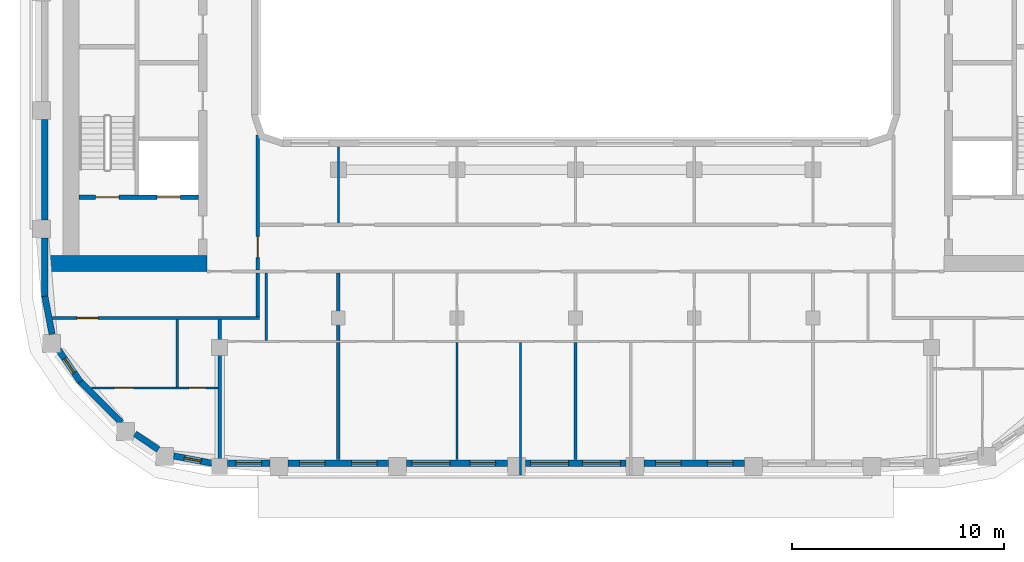
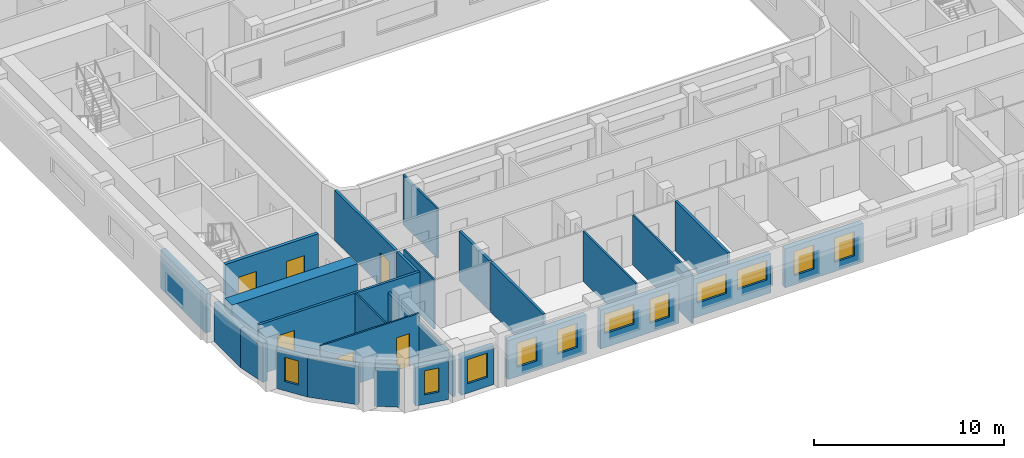
# One storey, part 2 of 21: 27 walls, 11 windows, 6 doors, 17 openings.
"""IFC4 building model written with IfcOpenShell, lengths in metres."""

from ifc_helpers import new_model, si_unit, direction, frame, frame_2d, origin, place, context, subcontext, project, spatial, rectangle, extrude, material, layer, layer_set, type_object, element, fill, save


model = new_model("IFC4")

# Units and contexts
model_context = context("Model", 3, precision=1e-05, world=origin(), true_north=direction((0.0, 1.0)))
body_context = subcontext(model_context, "Body", "Model", "MODEL_VIEW")
ifc_project = project(units=[si_unit("LENGTHUNIT", "METRE"), si_unit("AREAUNIT", "SQUARE_METRE"), si_unit("VOLUMEUNIT", "CUBIC_METRE"), si_unit("PLANEANGLEUNIT", "RADIAN"), si_unit("MASSUNIT", "GRAM", prefix="KILO")], contexts=[model_context])

# Site, building, storey
site_placement = place(None, origin())
site = spatial("IfcSite", under=ifc_project, at=site_placement, CompositionType="ELEMENT")
building_placement = place(site_placement, origin())
building = spatial("IfcBuilding", under=site, at=building_placement, Name="Kiln Ring Residences", CompositionType="ELEMENT")
storey_placement = place(building_placement, frame((0.0, 0.0, 220.39990234375)))
storey = spatial("IfcBuildingStorey", under=building, at=storey_placement, Name="L57", CompositionType="ELEMENT", Elevation=220.39990234375)

# Wall, openings, doors
ifc_material_1 = material(Name="Concrete C40/50", Category="concrete")
ifc_layer_1 = layer(ifc_material_1, 0.199951171875)
ifc_layer_set_1 = layer_set([ifc_layer_1], Name="CORE-WALL-RC200")
wall_type_1 = type_object("IfcWallType", Name="CORE-WALL-RC200", PredefinedType="SHEAR", material=ifc_layer_set_1)
wall_1_placement = place(storey_placement, frame((-17.800048828125, -9.699951171875, 0.0), z_axis=(0.0, 0.0, 1.0), x_axis=(-1.0, 0.0, 0.0)))
wall_1 = element("IfcWall", 1, at=wall_1_placement, inside=storey, type_object=wall_type_1, Name="Core wall west L57 8", PredefinedType="SHEAR", context=body_context, shape_type="SweptSolid", body=[
    extrude(rectangle(XDim=5.64990234375, YDim=0.199951171875, at=frame_2d((2.824951171875, 0.0))), origin(), (0.0, 0.0, 1.0), 3.2001953125),
])
opening_1_placement = place(wall_1_placement, frame((0.85009765625, 0.0, 0.0)))
opening_1 = element("IfcOpeningElement", 2, at=opening_1_placement, cuts=wall_1, Name="Opening L57-CW01", PredefinedType="OPENING", context=body_context, shape_type="SweptSolid", body=[
    extrude(rectangle(XDim=1.10009765625, YDim=2.10009765625, at=frame_2d((0.550048828125, 1.050048828125))), frame((0.0, 0.10986328125, 0.0), z_axis=(0.0, -1.0, 0.0), x_axis=(1.0, 0.0, 0.0)), (0.0, 0.0, 1.0), 0.219970703125),
])
opening_2_placement = place(wall_1_placement, frame((3.75, 0.0, 0.0)))
opening_2 = element("IfcOpeningElement", 3, at=opening_2_placement, cuts=wall_1, Name="Opening L57-CW10", PredefinedType="OPENING", context=body_context, shape_type="SweptSolid", body=[
    extrude(rectangle(XDim=1.10009765625, YDim=2.10009765625, at=frame_2d((0.550048828125, 1.050048828125))), frame((0.0, 0.10986328125, 0.0), z_axis=(0.0, -1.0, 0.0), x_axis=(1.0, 0.0, 0.0)), (0.0, 0.0, 1.0), 0.219970703125),
])
ifc_material_2 = material(Name="Steel door leaf", Category="steel")
door_type_1 = type_object("IfcDoorType", Name="CORE-DOOR-LD", OperationType="DOUBLE_DOOR_SLIDING", PredefinedType="DOOR", material=ifc_material_2)
door_1_placement = place(opening_1_placement, origin())
door_1 = element("IfcDoor", 4, at=door_1_placement, inside=storey, type_object=door_type_1, Name="LD W-SV L57-CW01", OperationType="DOUBLE_DOOR_SLIDING", OverallHeight=2.10009765625, OverallWidth=1.10009765625, PredefinedType="DOOR", context=body_context, shape_type="SweptSolid", body=[
    extrude(rectangle(XDim=1.10009765625, YDim=2.10009765625, at=frame_2d((0.550048828125, 1.050048828125))), frame((0.0, 0.02490234375, 0.0), z_axis=(0.0, -1.0, 0.0), x_axis=(1.0, 0.0, 0.0)), (0.0, 0.0, 1.0), 0.050048828125),
])
fill(opening_1, door_1)
ifc_material_3 = material(Name="Steel door leaf", Category="steel")
door_type_2 = type_object("IfcDoorType", Name="CORE-DOOR-STAIR", OperationType="SINGLE_SWING_LEFT", PredefinedType="DOOR", material=ifc_material_3)
door_2_placement = place(opening_2_placement, origin())
door_2 = element("IfcDoor", 5, at=door_2_placement, inside=storey, type_object=door_type_2, Name="Stair W-STS L57-CW10", OperationType="SINGLE_SWING_LEFT", OverallHeight=2.10009765625, OverallWidth=1.10009765625, PredefinedType="DOOR", context=body_context, shape_type="SweptSolid", body=[
    extrude(rectangle(XDim=1.10009765625, YDim=2.10009765625, at=frame_2d((0.550048828125, 1.050048828125))), frame((0.0, 0.02490234375, 0.0), z_axis=(0.0, -1.0, 0.0), x_axis=(1.0, 0.0, 0.0)), (0.0, 0.0, 1.0), 0.050048828125),
])
fill(opening_2, door_2)

# Walls
ifc_material_4 = material(Name="Concrete C60/75", Category="concrete")
ifc_layer_2 = layer(ifc_material_4, 0.75)
ifc_layer_set_2 = layer_set([ifc_layer_2], Name="CORE-WALL-RC750")
wall_type_2 = type_object("IfcWallType", Name="CORE-WALL-RC750", PredefinedType="SHEAR", material=ifc_layer_set_2)
wall_2_placement = place(storey_placement, frame((-17.39990234375, -12.824951171875, 0.0), z_axis=(0.0, 0.0, 1.0), x_axis=(-1.0, 0.0, 0.0)))
element("IfcWall", 6, at=wall_2_placement, inside=storey, type_object=wall_type_2, Name="Core wall west L57 5", PredefinedType="SHEAR", context=body_context, shape_type="SweptSolid", body=[
    extrude(rectangle(XDim=7.60009765625, YDim=0.75, at=frame_2d((3.800048828125, 0.0))), origin(), (0.0, 0.0, 1.0), 3.2001953125),
])
ifc_material_5 = material(Name="Brick masonry, dark clay brick", Category="masonry")
ifc_layer_3 = layer(ifc_material_5, 0.300048828125)
ifc_layer_set_3 = layer_set([ifc_layer_3], Name="EW-300 BRICK WALL")
wall_type_3 = type_object("IfcWallType", Name="EW-300 BRICK WALL", PredefinedType="SOLIDWALL", material=ifc_layer_set_3)
wall_3_placement = place(storey_placement, frame((-23.39697265625, -18.390869140625, 0.0), z_axis=(0.0, 0.0, 1.0), x_axis=(0.707106781187, -0.707106781187, 0.0)))
element("IfcWall", 7, at=wall_3_placement, inside=storey, type_object=wall_type_3, Name="Facade wall L57 1", PredefinedType="SOLIDWALL", context=body_context, shape_type="SweptSolid", body=[
    extrude(rectangle(XDim=2.775146484375, YDim=0.300048828125, at=frame_2d((1.3876953125, 0.0))), origin(), (0.0, 0.0, 1.0), 2.5),
])
wall_4_placement = place(storey_placement, frame((-20.7958984375, -20.862060546875, 0.0), z_axis=(0.0, 0.0, 1.0), x_axis=(0.827035970432, -0.562149004813, 0.0)))
element("IfcWall", 8, at=wall_4_placement, inside=storey, type_object=wall_type_3, Name="Facade wall L57 2", PredefinedType="SOLIDWALL", context=body_context, shape_type="SweptSolid", body=[
    extrude(rectangle(XDim=1.3271484375, YDim=0.300048828125, at=frame_2d((0.66357421875, 0.0))), origin(), (0.0, 0.0, 1.0), 2.5),
])

# Wall, opening, window
wall_5_placement = place(storey_placement, frame((-18.970703125, -21.90966796875, 0.0), z_axis=(0.0, 0.0, 1.0), x_axis=(0.982300037503, -0.187314271538, 0.0)))
wall_5 = element("IfcWall", 9, at=wall_5_placement, inside=storey, type_object=wall_type_3, Name="Facade wall L57 3", PredefinedType="SOLIDWALL", context=body_context, shape_type="SweptSolid", body=[
    extrude(rectangle(XDim=1.831298828125, YDim=0.300048828125, at=frame_2d((0.91552734375, 0.0))), origin(), (0.0, 0.0, 1.0), 2.5),
])
opening_3_placement = place(wall_5_placement, frame((0.515625, 0.0, 0.60009765625)))
opening_3 = element("IfcOpeningElement", 10, at=opening_3_placement, cuts=wall_5, Name="Opening W5", PredefinedType="OPENING", context=body_context, shape_type="SweptSolid", body=[
    extrude(rectangle(XDim=0.800048828125, YDim=1.550048828125, at=frame_2d((0.39990234375, 0.77490234375))), frame((0.0, 0.159912109375, 0.0), z_axis=(0.0, -1.0, 0.0), x_axis=(1.0, 0.0, 0.0)), (0.0, 0.0, 1.0), 0.320068359375),
])
ifc_material_6 = material(Name="Aluminium frame with double glazing", Category="aluminium")
window_type_1 = type_object("IfcWindowType", Name="WINDOW 800 x 1550", PartitioningType="SINGLE_PANEL", PredefinedType="WINDOW", material=ifc_material_6)
window_1_placement = place(opening_3_placement, origin())
window_1 = element("IfcWindow", 11, at=window_1_placement, inside=storey, type_object=window_type_1, Name="Window L57 1", OverallHeight=1.550048828125, OverallWidth=0.800048828125, PartitioningType="SINGLE_PANEL", PredefinedType="WINDOW", context=body_context, shape_type="SweptSolid", body=[
    extrude(rectangle(XDim=0.800048828125, YDim=1.550048828125, at=frame_2d((0.39990234375, 0.77490234375))), frame((0.0, 0.030029296875, 0.0), z_axis=(0.0, -1.0, 0.0), x_axis=(1.0, 0.0, 0.0)), (0.0, 0.0, 1.0), 0.06005859375),
])
fill(opening_3, window_1)

wall_6_placement = place(storey_placement, frame((-16.425048828125, -22.25, 0.0), z_axis=(0.0, 0.0, 1.0), x_axis=(1.0, 0.0, 0.0)))
wall_6 = element("IfcWall", 12, at=wall_6_placement, inside=storey, type_object=wall_type_3, Name="Facade wall L57 4", PredefinedType="SOLIDWALL", context=body_context, shape_type="SweptSolid", body=[
    extrude(rectangle(XDim=2.0, YDim=0.300048828125, at=frame_2d((1.0, 0.0))), origin(), (0.0, 0.0, 1.0), 2.5),
])
opening_4_placement = place(wall_6_placement, frame((0.39990234375, 0.0, 0.60009765625)))
opening_4 = element("IfcOpeningElement", 13, at=opening_4_placement, cuts=wall_6, Name="Opening W1", PredefinedType="OPENING", context=body_context, shape_type="SweptSolid", body=[
    extrude(rectangle(XDim=1.199951171875, YDim=1.550048828125, at=frame_2d((0.60009765625, 0.77490234375))), frame((0.0, 0.159912109375, 0.0), z_axis=(0.0, -1.0, 0.0), x_axis=(1.0, 0.0, 0.0)), (0.0, 0.0, 1.0), 0.320068359375),
])
ifc_material_7 = material(Name="Aluminium frame with double glazing", Category="aluminium")
window_type_2 = type_object("IfcWindowType", Name="WINDOW 1200 x 1550", PartitioningType="SINGLE_PANEL", PredefinedType="WINDOW", material=ifc_material_7)
window_2_placement = place(opening_4_placement, origin())
window_2 = element("IfcWindow", 14, at=window_2_placement, inside=storey, type_object=window_type_2, Name="Window L57 2", OverallHeight=1.550048828125, OverallWidth=1.199951171875, PartitioningType="SINGLE_PANEL", PredefinedType="WINDOW", context=body_context, shape_type="SweptSolid", body=[
    extrude(rectangle(XDim=1.199951171875, YDim=1.550048828125, at=frame_2d((0.60009765625, 0.77490234375))), frame((0.0, 0.030029296875, 0.0), z_axis=(0.0, -1.0, 0.0), x_axis=(1.0, 0.0, 0.0)), (0.0, 0.0, 1.0), 0.06005859375),
])
fill(opening_4, window_2)

# Wall, openings, windows
wall_7_placement = place(storey_placement, frame((-13.574951171875, -22.25, 0.0), z_axis=(0.0, 0.0, 1.0), x_axis=(1.0, 0.0, 0.0)))
wall_7 = element("IfcWall", 15, at=wall_7_placement, inside=storey, type_object=wall_type_3, Name="Facade wall L57 5", PredefinedType="SOLIDWALL", context=body_context, shape_type="SweptSolid", body=[
    extrude(rectangle(XDim=4.75, YDim=0.300048828125, at=frame_2d((2.375, 0.0))), origin(), (0.0, 0.0, 1.0), 2.5),
])
opening_5_placement = place(wall_7_placement, frame((0.550048828125, 0.0, 0.60009765625)))
opening_5 = element("IfcOpeningElement", 16, at=opening_5_placement, cuts=wall_7, Name="Opening W1", PredefinedType="OPENING", context=body_context, shape_type="SweptSolid", body=[
    extrude(rectangle(XDim=1.199951171875, YDim=1.550048828125, at=frame_2d((0.60009765625, 0.77490234375))), frame((0.0, 0.159912109375, 0.0), z_axis=(0.0, -1.0, 0.0), x_axis=(1.0, 0.0, 0.0)), (0.0, 0.0, 1.0), 0.320068359375),
])
opening_6_placement = place(wall_7_placement, frame((3.0, 0.0, 0.60009765625)))
opening_6 = element("IfcOpeningElement", 17, at=opening_6_placement, cuts=wall_7, Name="Opening W1", PredefinedType="OPENING", context=body_context, shape_type="SweptSolid", body=[
    extrude(rectangle(XDim=1.199951171875, YDim=1.550048828125, at=frame_2d((0.60009765625, 0.77490234375))), frame((0.0, 0.159912109375, 0.0), z_axis=(0.0, -1.0, 0.0), x_axis=(1.0, 0.0, 0.0)), (0.0, 0.0, 1.0), 0.320068359375),
])
window_3_placement = place(opening_5_placement, origin())
window_3 = element("IfcWindow", 18, at=window_3_placement, inside=storey, type_object=window_type_2, Name="Window L57 3", OverallHeight=1.550048828125, OverallWidth=1.199951171875, PartitioningType="SINGLE_PANEL", PredefinedType="WINDOW", context=body_context, shape_type="SweptSolid", body=[
    extrude(rectangle(XDim=1.199951171875, YDim=1.550048828125, at=frame_2d((0.60009765625, 0.77490234375))), frame((0.0, 0.030029296875, 0.0), z_axis=(0.0, -1.0, 0.0), x_axis=(1.0, 0.0, 0.0)), (0.0, 0.0, 1.0), 0.06005859375),
])
fill(opening_5, window_3)
window_4_placement = place(opening_6_placement, origin())
window_4 = element("IfcWindow", 19, at=window_4_placement, inside=storey, type_object=window_type_2, Name="Window L57 4", OverallHeight=1.550048828125, OverallWidth=1.199951171875, PartitioningType="SINGLE_PANEL", PredefinedType="WINDOW", context=body_context, shape_type="SweptSolid", body=[
    extrude(rectangle(XDim=1.199951171875, YDim=1.550048828125, at=frame_2d((0.60009765625, 0.77490234375))), frame((0.0, 0.030029296875, 0.0), z_axis=(0.0, -1.0, 0.0), x_axis=(1.0, 0.0, 0.0)), (0.0, 0.0, 1.0), 0.06005859375),
])
fill(opening_6, window_4)

wall_8_placement = place(storey_placement, frame((-7.97509765625, -22.25, 0.0), z_axis=(0.0, 0.0, 1.0), x_axis=(1.0, 0.0, 0.0)))
wall_8 = element("IfcWall", 20, at=wall_8_placement, inside=storey, type_object=wall_type_3, Name="Facade wall L57 6", PredefinedType="SOLIDWALL", context=body_context, shape_type="SweptSolid", body=[
    extrude(rectangle(XDim=4.75, YDim=0.300048828125, at=frame_2d((2.375, 0.0))), origin(), (0.0, 0.0, 1.0), 2.5),
])
opening_7_placement = place(wall_8_placement, frame((0.25, 0.0, 0.89990234375)))
opening_7 = element("IfcOpeningElement", 21, at=opening_7_placement, cuts=wall_8, Name="Opening W2", PredefinedType="OPENING", context=body_context, shape_type="SweptSolid", body=[
    extrude(rectangle(XDim=1.800048828125, YDim=1.25, at=frame_2d((0.89990234375, 0.625))), frame((0.0, 0.159912109375, 0.0), z_axis=(0.0, -1.0, 0.0), x_axis=(1.0, 0.0, 0.0)), (0.0, 0.0, 1.0), 0.320068359375),
])
opening_8_placement = place(wall_8_placement, frame((3.0, 0.0, 0.60009765625)))
opening_8 = element("IfcOpeningElement", 22, at=opening_8_placement, cuts=wall_8, Name="Opening W1", PredefinedType="OPENING", context=body_context, shape_type="SweptSolid", body=[
    extrude(rectangle(XDim=1.199951171875, YDim=1.550048828125, at=frame_2d((0.60009765625, 0.77490234375))), frame((0.0, 0.159912109375, 0.0), z_axis=(0.0, -1.0, 0.0), x_axis=(1.0, 0.0, 0.0)), (0.0, 0.0, 1.0), 0.320068359375),
])
window_5_placement = place(opening_8_placement, origin())
window_5 = element("IfcWindow", 23, at=window_5_placement, inside=storey, type_object=window_type_2, Name="Window L57 6", OverallHeight=1.550048828125, OverallWidth=1.199951171875, PartitioningType="SINGLE_PANEL", PredefinedType="WINDOW", context=body_context, shape_type="SweptSolid", body=[
    extrude(rectangle(XDim=1.199951171875, YDim=1.550048828125, at=frame_2d((0.60009765625, 0.77490234375))), frame((0.0, 0.030029296875, 0.0), z_axis=(0.0, -1.0, 0.0), x_axis=(1.0, 0.0, 0.0)), (0.0, 0.0, 1.0), 0.06005859375),
])
fill(opening_8, window_5)
ifc_material_8 = material(Name="Aluminium frame with double glazing", Category="aluminium")
window_type_3 = type_object("IfcWindowType", Name="WINDOW 1800 x 1250", PartitioningType="SINGLE_PANEL", PredefinedType="WINDOW", material=ifc_material_8)
window_6_placement = place(opening_7_placement, origin())
window_6 = element("IfcWindow", 24, at=window_6_placement, inside=storey, type_object=window_type_3, Name="Window L57 5", OverallHeight=1.25, OverallWidth=1.800048828125, PartitioningType="SINGLE_PANEL", PredefinedType="WINDOW", context=body_context, shape_type="SweptSolid", body=[
    extrude(rectangle(XDim=1.800048828125, YDim=1.25, at=frame_2d((0.89990234375, 0.625))), frame((0.0, 0.030029296875, 0.0), z_axis=(0.0, -1.0, 0.0), x_axis=(1.0, 0.0, 0.0)), (0.0, 0.0, 1.0), 0.06005859375),
])
fill(opening_7, window_6)

wall_9_placement = place(storey_placement, frame((-2.375, -22.25, 0.0), z_axis=(0.0, 0.0, 1.0), x_axis=(1.0, 0.0, 0.0)))
wall_9 = element("IfcWall", 25, at=wall_9_placement, inside=storey, type_object=wall_type_3, Name="Facade wall L57 7", PredefinedType="SOLIDWALL", context=body_context, shape_type="SweptSolid", body=[
    extrude(rectangle(XDim=4.75, YDim=0.300048828125, at=frame_2d((2.375, 0.0))), origin(), (0.0, 0.0, 1.0), 2.5),
])
opening_9_placement = place(wall_9_placement, frame((0.25, 0.0, 0.89990234375)))
opening_9 = element("IfcOpeningElement", 26, at=opening_9_placement, cuts=wall_9, Name="Opening W2", PredefinedType="OPENING", context=body_context, shape_type="SweptSolid", body=[
    extrude(rectangle(XDim=1.800048828125, YDim=1.25, at=frame_2d((0.89990234375, 0.625))), frame((0.0, 0.159912109375, 0.0), z_axis=(0.0, -1.0, 0.0), x_axis=(1.0, 0.0, 0.0)), (0.0, 0.0, 1.0), 0.320068359375),
])
opening_10_placement = place(wall_9_placement, frame((2.699951171875, 0.0, 0.89990234375)))
opening_10 = element("IfcOpeningElement", 27, at=opening_10_placement, cuts=wall_9, Name="Opening W2", PredefinedType="OPENING", context=body_context, shape_type="SweptSolid", body=[
    extrude(rectangle(XDim=1.800048828125, YDim=1.25, at=frame_2d((0.89990234375, 0.625))), frame((0.0, 0.159912109375, 0.0), z_axis=(0.0, -1.0, 0.0), x_axis=(1.0, 0.0, 0.0)), (0.0, 0.0, 1.0), 0.320068359375),
])
window_7_placement = place(opening_9_placement, origin())
window_7 = element("IfcWindow", 28, at=window_7_placement, inside=storey, type_object=window_type_3, Name="Window L57 7", OverallHeight=1.25, OverallWidth=1.800048828125, PartitioningType="SINGLE_PANEL", PredefinedType="WINDOW", context=body_context, shape_type="SweptSolid", body=[
    extrude(rectangle(XDim=1.800048828125, YDim=1.25, at=frame_2d((0.89990234375, 0.625))), frame((0.0, 0.030029296875, 0.0), z_axis=(0.0, -1.0, 0.0), x_axis=(1.0, 0.0, 0.0)), (0.0, 0.0, 1.0), 0.06005859375),
])
fill(opening_9, window_7)
window_8_placement = place(opening_10_placement, origin())
window_8 = element("IfcWindow", 29, at=window_8_placement, inside=storey, type_object=window_type_3, Name="Window L57 8", OverallHeight=1.25, OverallWidth=1.800048828125, PartitioningType="SINGLE_PANEL", PredefinedType="WINDOW", context=body_context, shape_type="SweptSolid", body=[
    extrude(rectangle(XDim=1.800048828125, YDim=1.25, at=frame_2d((0.89990234375, 0.625))), frame((0.0, 0.030029296875, 0.0), z_axis=(0.0, -1.0, 0.0), x_axis=(1.0, 0.0, 0.0)), (0.0, 0.0, 1.0), 0.06005859375),
])
fill(opening_10, window_8)

wall_10_placement = place(storey_placement, frame((3.22509765625, -22.25, 0.0), z_axis=(0.0, 0.0, 1.0), x_axis=(1.0, 0.0, 0.0)))
wall_10 = element("IfcWall", 30, at=wall_10_placement, inside=storey, type_object=wall_type_3, Name="Facade wall L57 8", PredefinedType="SOLIDWALL", context=body_context, shape_type="SweptSolid", body=[
    extrude(rectangle(XDim=4.75, YDim=0.300048828125, at=frame_2d((2.375, 0.0))), origin(), (0.0, 0.0, 1.0), 2.5),
])
opening_11_placement = place(wall_10_placement, frame((0.550048828125, 0.0, 0.60009765625)))
opening_11 = element("IfcOpeningElement", 31, at=opening_11_placement, cuts=wall_10, Name="Opening W1", PredefinedType="OPENING", context=body_context, shape_type="SweptSolid", body=[
    extrude(rectangle(XDim=1.199951171875, YDim=1.550048828125, at=frame_2d((0.60009765625, 0.77490234375))), frame((0.0, 0.159912109375, 0.0), z_axis=(0.0, -1.0, 0.0), x_axis=(1.0, 0.0, 0.0)), (0.0, 0.0, 1.0), 0.320068359375),
])
opening_12_placement = place(wall_10_placement, frame((3.0, 0.0, 0.60009765625)))
opening_12 = element("IfcOpeningElement", 32, at=opening_12_placement, cuts=wall_10, Name="Opening W1", PredefinedType="OPENING", context=body_context, shape_type="SweptSolid", body=[
    extrude(rectangle(XDim=1.199951171875, YDim=1.550048828125, at=frame_2d((0.60009765625, 0.77490234375))), frame((0.0, 0.159912109375, 0.0), z_axis=(0.0, -1.0, 0.0), x_axis=(1.0, 0.0, 0.0)), (0.0, 0.0, 1.0), 0.320068359375),
])
window_9_placement = place(opening_11_placement, origin())
window_9 = element("IfcWindow", 33, at=window_9_placement, inside=storey, type_object=window_type_2, Name="Window L57 9", OverallHeight=1.550048828125, OverallWidth=1.199951171875, PartitioningType="SINGLE_PANEL", PredefinedType="WINDOW", context=body_context, shape_type="SweptSolid", body=[
    extrude(rectangle(XDim=1.199951171875, YDim=1.550048828125, at=frame_2d((0.60009765625, 0.77490234375))), frame((0.0, 0.030029296875, 0.0), z_axis=(0.0, -1.0, 0.0), x_axis=(1.0, 0.0, 0.0)), (0.0, 0.0, 1.0), 0.06005859375),
])
fill(opening_11, window_9)
window_10_placement = place(opening_12_placement, origin())
window_10 = element("IfcWindow", 34, at=window_10_placement, inside=storey, type_object=window_type_2, Name="Window L57 10", OverallHeight=1.550048828125, OverallWidth=1.199951171875, PartitioningType="SINGLE_PANEL", PredefinedType="WINDOW", context=body_context, shape_type="SweptSolid", body=[
    extrude(rectangle(XDim=1.199951171875, YDim=1.550048828125, at=frame_2d((0.60009765625, 0.77490234375))), frame((0.0, 0.030029296875, 0.0), z_axis=(0.0, -1.0, 0.0), x_axis=(1.0, 0.0, 0.0)), (0.0, 0.0, 1.0), 0.06005859375),
])
fill(opening_12, window_10)

# Walls
wall_11_placement = place(storey_placement, frame((-25.050048828125, -6.02490234375, 0.0), z_axis=(0.0, 0.0, 1.0), x_axis=(0.0, -1.0, 0.0)))
element("IfcWall", 35, at=wall_11_placement, inside=storey, type_object=wall_type_3, Name="Facade wall L57 43", PredefinedType="SOLIDWALL", context=body_context, shape_type="SweptSolid", body=[
    extrude(rectangle(XDim=4.75, YDim=0.300048828125, at=frame_2d((2.375, 0.0))), origin(), (0.0, 0.0, 1.0), 2.5),
])
wall_12_placement = place(storey_placement, frame((-25.050048828125, -11.625, 0.0), z_axis=(0.0, 0.0, 1.0), x_axis=(0.0, -1.0, 0.0)))
element("IfcWall", 36, at=wall_12_placement, inside=storey, type_object=wall_type_3, Name="Facade wall L57 44", PredefinedType="SOLIDWALL", context=body_context, shape_type="SweptSolid", body=[
    extrude(rectangle(XDim=2.77490234375, YDim=0.300048828125, at=frame_2d((1.387451171875, 0.0))), origin(), (0.0, 0.0, 1.0), 2.5),
])
wall_13_placement = place(storey_placement, frame((-25.052734375, -14.371826171875, 0.0), z_axis=(0.0, 0.0, 1.0), x_axis=(0.187442908742, -0.982275499014, 0.0)))
element("IfcWall", 37, at=wall_13_placement, inside=storey, type_object=wall_type_3, Name="Facade wall L57 45", PredefinedType="SOLIDWALL", context=body_context, shape_type="SweptSolid", body=[
    extrude(rectangle(XDim=1.831298828125, YDim=0.300048828125, at=frame_2d((0.91552734375, 0.0))), origin(), (0.0, 0.0, 1.0), 2.5),
])

# Wall, opening, window
wall_14_placement = place(storey_placement, frame((-24.408203125, -16.898193359375, 0.0), z_axis=(0.0, 0.0, 1.0), x_axis=(0.562062033417, -0.827095079535, 0.0)))
wall_14 = element("IfcWall", 38, at=wall_14_placement, inside=storey, type_object=wall_type_3, Name="Facade wall L57 46", PredefinedType="SOLIDWALL", context=body_context, shape_type="SweptSolid", body=[
    extrude(rectangle(XDim=1.831298828125, YDim=0.300048828125, at=frame_2d((0.91552734375, 0.0))), origin(), (0.0, 0.0, 1.0), 2.5),
])
opening_13_placement = place(wall_14_placement, frame((0.515625, 0.0, 0.60009765625)))
opening_13 = element("IfcOpeningElement", 39, at=opening_13_placement, cuts=wall_14, Name="Opening W5", PredefinedType="OPENING", context=body_context, shape_type="SweptSolid", body=[
    extrude(rectangle(XDim=0.800048828125, YDim=1.550048828125, at=frame_2d((0.39990234375, 0.77490234375))), frame((0.0, 0.159912109375, 0.0), z_axis=(0.0, -1.0, 0.0), x_axis=(1.0, 0.0, 0.0)), (0.0, 0.0, 1.0), 0.320068359375),
])
window_11_placement = place(opening_13_placement, origin())
window_11 = element("IfcWindow", 40, at=window_11_placement, inside=storey, type_object=window_type_1, Name="Window L57 34", OverallHeight=1.550048828125, OverallWidth=0.800048828125, PartitioningType="SINGLE_PANEL", PredefinedType="WINDOW", context=body_context, shape_type="SweptSolid", body=[
    extrude(rectangle(XDim=0.800048828125, YDim=1.550048828125, at=frame_2d((0.39990234375, 0.77490234375))), frame((0.0, 0.030029296875, 0.0), z_axis=(0.0, -1.0, 0.0), x_axis=(1.0, 0.0, 0.0)), (0.0, 0.0, 1.0), 0.06005859375),
])
fill(opening_13, window_11)

# Wall, openings, doors
ifc_material_9 = material(Name="Gypsum board on steel studs", Category="steel")
ifc_layer_4 = layer(ifc_material_9, 0.10009765625)
ifc_layer_set_4 = layer_set([ifc_layer_4], Name="PARTITION-100")
wall_type_4 = type_object("IfcWallType", Name="PARTITION-100", PredefinedType="PARTITIONING", material=ifc_layer_set_4)
wall_15_placement = place(storey_placement, frame((-22.855712890625, -18.699951171875, 0.0), z_axis=(0.0, 0.0, 1.0), x_axis=(1.0, 0.0, 0.0)))
wall_15 = element("IfcWall", 41, at=wall_15_placement, inside=storey, type_object=wall_type_4, Name="Partition 000", PredefinedType="PARTITIONING", context=body_context, shape_type="SweptSolid", body=[
    extrude(rectangle(XDim=5.980712890625, YDim=0.10009765625, at=frame_2d((2.990234375, 0.0))), origin(), (0.0, 0.0, 1.0), 3.2001953125),
])
opening_14_placement = place(wall_15_placement, frame((4.605712890625, 0.0, 0.0)))
opening_14 = element("IfcOpeningElement", 42, at=opening_14_placement, cuts=wall_15, Name="Opening L57-D066", PredefinedType="OPENING", context=body_context, shape_type="SweptSolid", body=[
    extrude(rectangle(XDim=0.800048828125, YDim=2.10009765625, at=frame_2d((0.39990234375, 1.050048828125))), frame((0.0, 0.06005859375, 0.0), z_axis=(0.0, -1.0, 0.0), x_axis=(1.0, 0.0, 0.0)), (0.0, 0.0, 1.0), 0.1201171875),
])
opening_15_placement = place(wall_15_placement, frame((1.083740234375, 0.0, 0.0)))
opening_15 = element("IfcOpeningElement", 43, at=opening_15_placement, cuts=wall_15, Name="Opening L57-D067", PredefinedType="OPENING", context=body_context, shape_type="SweptSolid", body=[
    extrude(rectangle(XDim=0.89990234375, YDim=2.10009765625, at=frame_2d((0.449951171875, 1.050048828125))), frame((0.0, 0.06005859375, 0.0), z_axis=(0.0, -1.0, 0.0), x_axis=(1.0, 0.0, 0.0)), (0.0, 0.0, 1.0), 0.1201171875),
])
ifc_material_10 = material(Name="Timber door leaf", Category="wood")
door_type_3 = type_object("IfcDoorType", Name="FLAT-DOOR-800-PL", OperationType="SINGLE_SWING_LEFT", PredefinedType="DOOR", material=ifc_material_10)
door_3_placement = place(opening_14_placement, origin())
door_3 = element("IfcDoor", 44, at=door_3_placement, inside=storey, type_object=door_type_3, Name="Door L57-D066", OperationType="SINGLE_SWING_RIGHT", OverallHeight=2.10009765625, OverallWidth=0.800048828125, PredefinedType="DOOR", context=body_context, shape_type="SweptSolid", body=[
    extrude(rectangle(XDim=0.800048828125, YDim=2.10009765625, at=frame_2d((0.39990234375, 1.050048828125))), frame((0.0, 0.02490234375, 0.0), z_axis=(0.0, -1.0, 0.0), x_axis=(1.0, 0.0, 0.0)), (0.0, 0.0, 1.0), 0.050048828125),
])
fill(opening_14, door_3)
ifc_material_11 = material(Name="Timber door leaf", Category="wood")
door_type_4 = type_object("IfcDoorType", Name="FLAT-DOOR-900-PL", OperationType="SINGLE_SWING_LEFT", PredefinedType="DOOR", material=ifc_material_11)
door_4_placement = place(opening_15_placement, origin())
door_4 = element("IfcDoor", 45, at=door_4_placement, inside=storey, type_object=door_type_4, Name="Door L57-D067", OperationType="SINGLE_SWING_LEFT", OverallHeight=2.10009765625, OverallWidth=0.89990234375, PredefinedType="DOOR", context=body_context, shape_type="SweptSolid", body=[
    extrude(rectangle(XDim=0.89990234375, YDim=2.10009765625, at=frame_2d((0.449951171875, 1.050048828125))), frame((0.0, 0.02490234375, 0.0), z_axis=(0.0, -1.0, 0.0), x_axis=(1.0, 0.0, 0.0)), (0.0, 0.0, 1.0), 0.050048828125),
])
fill(opening_15, door_4)

# Walls
wall_16_placement = place(storey_placement, frame((-18.800048828125, -18.64990234375, 0.0), z_axis=(0.0, 0.0, 1.0), x_axis=(0.0, 1.0, 0.0)))
element("IfcWall", 46, at=wall_16_placement, inside=storey, type_object=wall_type_4, Name="Partition 015", PredefinedType="PARTITIONING", context=body_context, shape_type="SweptSolid", body=[
    extrude(rectangle(XDim=3.1748046875, YDim=0.10009765625, at=frame_2d((1.58740234375, 0.0))), origin(), (0.0, 0.0, 1.0), 3.2001953125),
])
wall_17_placement = place(storey_placement, frame((-14.60009765625, -16.449951171875, 0.0), z_axis=(0.0, 0.0, 1.0), x_axis=(0.0, 1.0, 0.0)))
element("IfcWall", 47, at=wall_17_placement, inside=storey, type_object=wall_type_4, Name="Partition 022", PredefinedType="PARTITIONING", context=body_context, shape_type="SweptSolid", body=[
    extrude(rectangle(XDim=3.175048828125, YDim=0.10009765625, at=frame_2d((1.58740234375, 0.0))), origin(), (0.0, 0.0, 1.0), 3.2001953125),
])
wall_18_placement = place(storey_placement, frame((-11.199951171875, -10.925048828125, 0.0), z_axis=(0.0, 0.0, 1.0), x_axis=(0.0, 1.0, 0.0)))
element("IfcWall", 48, at=wall_18_placement, inside=storey, type_object=wall_type_4, Name="Partition 023", PredefinedType="PARTITIONING", context=body_context, shape_type="SweptSolid", body=[
    extrude(rectangle(XDim=3.60498046875, YDim=0.10009765625, at=frame_2d((1.802490234375, 0.0))), origin(), (0.0, 0.0, 1.0), 3.2001953125),
])
wall_19_placement = place(storey_placement, frame((-5.60009765625, -22.080078125, 0.0), z_axis=(0.0, 0.0, 1.0), x_axis=(0.0, 1.0, 0.0)))
element("IfcWall", 49, at=wall_19_placement, inside=storey, type_object=wall_type_4, Name="Partition 030", PredefinedType="PARTITIONING", context=body_context, shape_type="SweptSolid", body=[
    extrude(rectangle(XDim=5.530029296875, YDim=0.10009765625, at=frame_2d((2.76513671875, 0.0))), origin(), (0.0, 0.0, 1.0), 3.2001953125),
])
wall_20_placement = place(storey_placement, frame((-2.60009765625, -22.804931640625, 0.0), z_axis=(0.0, 0.0, 1.0), x_axis=(0.0, 1.0, 0.0)))
element("IfcWall", 50, at=wall_20_placement, inside=storey, type_object=wall_type_4, Name="Partition 036", PredefinedType="PARTITIONING", context=body_context, shape_type="SweptSolid", body=[
    extrude(rectangle(XDim=6.2548828125, YDim=0.10009765625, at=frame_2d((3.12744140625, 0.0))), origin(), (0.0, 0.0, 1.0), 3.2001953125),
])

# Wall, opening, door
ifc_material_12 = material(Name="Brick masonry partition", Category="masonry")
ifc_layer_5 = layer(ifc_material_12, 0.14990234375)
ifc_layer_set_5 = layer_set([ifc_layer_5], Name="PARTITION-150-ei60")
wall_type_5 = type_object("IfcWallType", Name="PARTITION-150-ei60", PredefinedType="PARTITIONING", material=ifc_layer_set_5)
wall_21_placement = place(storey_placement, frame((-24.683837890625, -15.39990234375, 0.0), z_axis=(0.0, 0.0, 1.0), x_axis=(1.0, 0.0, 0.0)))
wall_21 = element("IfcWall", 51, at=wall_21_placement, inside=storey, type_object=wall_type_5, Name="Partition 003", PredefinedType="PARTITIONING", context=body_context, shape_type="SweptSolid", body=[
    extrude(rectangle(XDim=9.7587890625, YDim=0.14990234375, at=frame_2d((4.87939453125, 0.0))), origin(), (0.0, 0.0, 1.0), 3.2001953125),
])
opening_16_placement = place(wall_21_placement, frame((1.142822265625, 0.0, 0.0)))
opening_16 = element("IfcOpeningElement", 52, at=opening_16_placement, cuts=wall_21, Name="Opening L57-D065", PredefinedType="OPENING", context=body_context, shape_type="SweptSolid", body=[
    extrude(rectangle(XDim=1.0, YDim=2.10009765625, at=frame_2d((0.5, 1.050048828125))), frame((0.0, 0.0849609375, 0.0), z_axis=(0.0, -1.0, 0.0), x_axis=(1.0, 0.0, 0.0)), (0.0, 0.0, 1.0), 0.169921875),
])
ifc_material_13 = material(Name="Steel faced fire door leaf", Category="steel")
door_type_5 = type_object("IfcDoorType", Name="FLAT-DOOR-1000-FR", OperationType="SINGLE_SWING_LEFT", PredefinedType="DOOR", material=ifc_material_13)
door_5_placement = place(opening_16_placement, origin())
door_5 = element("IfcDoor", 53, at=door_5_placement, inside=storey, type_object=door_type_5, Name="Door L57-D065", OperationType="SINGLE_SWING_LEFT", OverallHeight=2.10009765625, OverallWidth=1.0, PredefinedType="DOOR", context=body_context, shape_type="SweptSolid", body=[
    extrude(rectangle(XDim=1.0, YDim=2.10009765625, at=frame_2d((0.5, 1.050048828125))), frame((0.0, 0.02490234375, 0.0), z_axis=(0.0, -1.0, 0.0), x_axis=(1.0, 0.0, 0.0)), (0.0, 0.0, 1.0), 0.050048828125),
])
fill(opening_16, door_5)

# Walls
wall_22_placement = place(storey_placement, frame((-16.800048828125, -22.31005859375, 0.0), z_axis=(0.0, 0.0, 1.0), x_axis=(0.0, 1.0, 0.0)))
element("IfcWall", 54, at=wall_22_placement, inside=storey, type_object=wall_type_5, Name="Partition 016", PredefinedType="PARTITIONING", context=body_context, shape_type="SweptSolid", body=[
    extrude(rectangle(XDim=6.8349609375, YDim=0.14990234375, at=frame_2d((3.41748046875, 0.0))), origin(), (0.0, 0.0, 1.0), 2.550048828125),
])
wall_23_placement = place(storey_placement, frame((-15.0, -15.324951171875, 0.0), z_axis=(0.0, 0.0, 1.0), x_axis=(0.0, 1.0, 0.0)))
element("IfcWall", 55, at=wall_23_placement, inside=storey, type_object=wall_type_5, Name="Partition 018", PredefinedType="PARTITIONING", context=body_context, shape_type="SweptSolid", body=[
    extrude(rectangle(XDim=2.050048828125, YDim=0.14990234375, at=frame_2d((1.02490234375, 0.0))), origin(), (0.0, 0.0, 1.0), 3.2001953125),
])

# Wall, opening, door
wall_24_placement = place(storey_placement, frame((-15.0, -13.125, 0.0), z_axis=(0.0, 0.0, 1.0), x_axis=(0.0, 1.0, 0.0)))
wall_24 = element("IfcWall", 56, at=wall_24_placement, inside=storey, type_object=wall_type_5, Name="Partition 019", PredefinedType="PARTITIONING", context=body_context, shape_type="SweptSolid", body=[
    extrude(rectangle(XDim=6.356201171875, YDim=0.14990234375, at=frame_2d((3.17822265625, 0.0))), origin(), (0.0, 0.0, 1.0), 3.2001953125),
])
opening_17_placement = place(wall_24_placement, frame((0.574951171875, 0.0, 0.0)))
opening_17 = element("IfcOpeningElement", 57, at=opening_17_placement, cuts=wall_24, Name="Opening L57-D005", PredefinedType="OPENING", context=body_context, shape_type="SweptSolid", body=[
    extrude(rectangle(XDim=1.0, YDim=2.10009765625, at=frame_2d((0.5, 1.050048828125))), frame((0.0, 0.0849609375, 0.0), z_axis=(0.0, -1.0, 0.0), x_axis=(1.0, 0.0, 0.0)), (0.0, 0.0, 1.0), 0.169921875),
])
door_6_placement = place(opening_17_placement, origin())
door_6 = element("IfcDoor", 58, at=door_6_placement, inside=storey, type_object=door_type_5, Name="Door L57-D005", OperationType="SINGLE_SWING_RIGHT", OverallHeight=2.10009765625, OverallWidth=1.0, PredefinedType="DOOR", context=body_context, shape_type="SweptSolid", body=[
    extrude(rectangle(XDim=1.0, YDim=2.10009765625, at=frame_2d((0.5, 1.050048828125))), frame((0.0, 0.02490234375, 0.0), z_axis=(0.0, -1.0, 0.0), x_axis=(1.0, 0.0, 0.0)), (0.0, 0.0, 1.0), 0.050048828125),
])
fill(opening_17, door_6)

# Walls
wall_25_placement = place(storey_placement, frame((-11.199951171875, -22.080078125, 0.0), z_axis=(0.0, 0.0, 1.0), x_axis=(0.0, 1.0, 0.0)))
element("IfcWall", 59, at=wall_25_placement, inside=storey, type_object=wall_type_5, Name="Partition 027", PredefinedType="PARTITIONING", context=body_context, shape_type="SweptSolid", body=[
    extrude(rectangle(XDim=5.530029296875, YDim=0.14990234375, at=frame_2d((2.76513671875, 0.0))), origin(), (0.0, 0.0, 1.0), 3.2001953125),
])
wall_26_placement = place(storey_placement, frame((-11.199951171875, -16.449951171875, 0.0), z_axis=(0.0, 0.0, 1.0), x_axis=(0.0, 1.0, 0.0)))
element("IfcWall", 60, at=wall_26_placement, inside=storey, type_object=wall_type_5, Name="Partition 028", PredefinedType="PARTITIONING", context=body_context, shape_type="SweptSolid", body=[
    extrude(rectangle(XDim=3.175048828125, YDim=0.14990234375, at=frame_2d((1.58740234375, 0.0))), origin(), (0.0, 0.0, 1.0), 3.2001953125),
])
wall_27_placement = place(storey_placement, frame((0.0, -22.080078125, 0.0), z_axis=(0.0, 0.0, 1.0), x_axis=(0.0, 1.0, 0.0)))
element("IfcWall", 61, at=wall_27_placement, inside=storey, type_object=wall_type_5, Name="Partition 039", PredefinedType="PARTITIONING", context=body_context, shape_type="SweptSolid", body=[
    extrude(rectangle(XDim=5.530029296875, YDim=0.14990234375, at=frame_2d((2.76513671875, 0.0))), origin(), (0.0, 0.0, 1.0), 3.2001953125),
])

save(model, "model.ifc")
